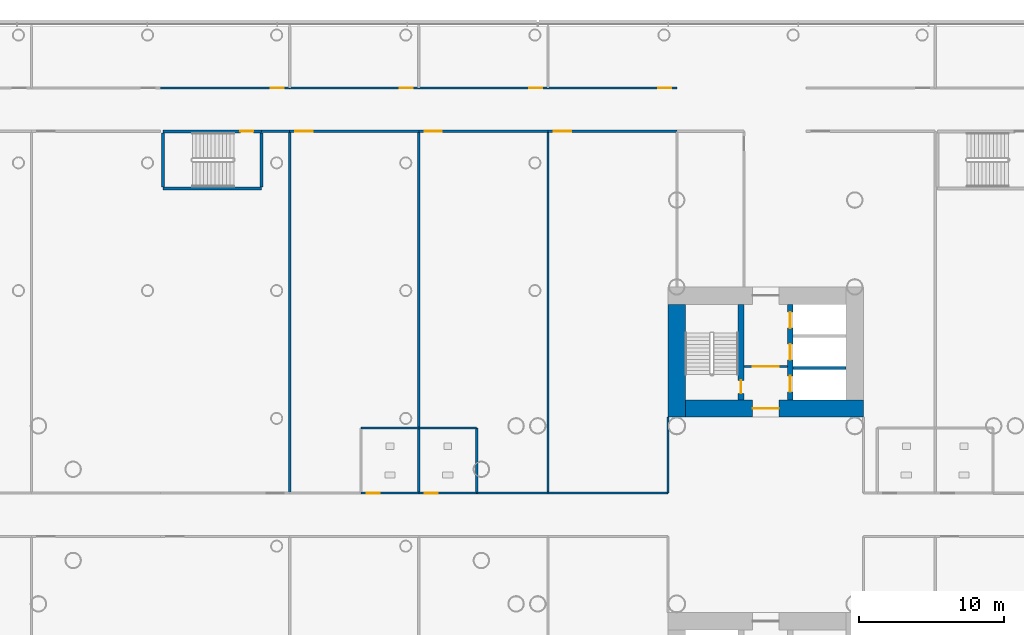
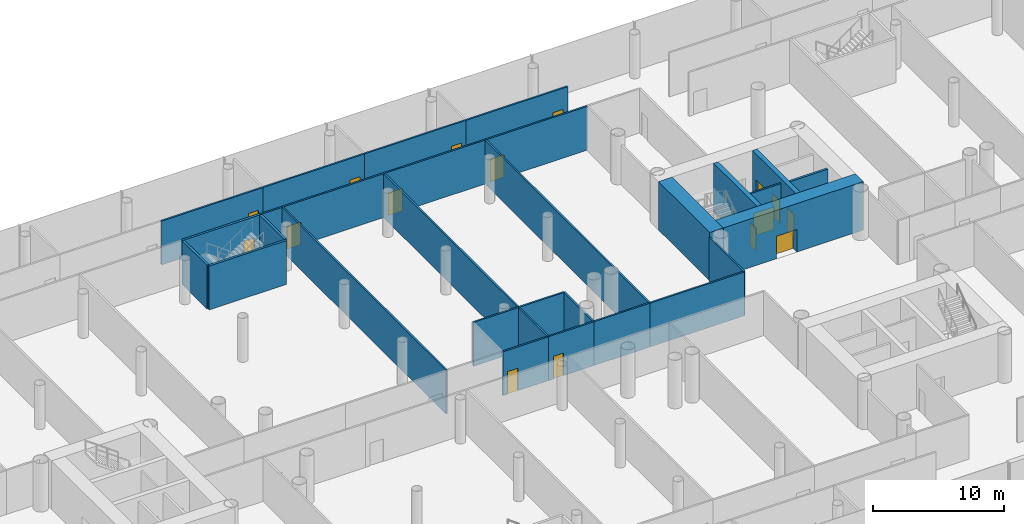
# One storey, part 22 of 49: 30 walls, 16 doors, 16 openings.
"""IFC4 building model written with IfcOpenShell, lengths in metres."""

from ifc_helpers import new_model, si_unit, direction, frame, frame_2d, origin, place, context, subcontext, project, spatial, rectangle, extrude, material, layer, layer_set, type_object, element, fill, save


model = new_model("IFC4")

# Units and contexts
model_context = context("Model", 3, precision=1e-05, world=origin(), true_north=direction((0.0, 1.0)))
body_context = subcontext(model_context, "Body", "Model", "MODEL_VIEW")
ifc_project = project(units=[si_unit("LENGTHUNIT", "METRE"), si_unit("AREAUNIT", "SQUARE_METRE"), si_unit("VOLUMEUNIT", "CUBIC_METRE"), si_unit("PLANEANGLEUNIT", "RADIAN"), si_unit("MASSUNIT", "GRAM", prefix="KILO")], contexts=[model_context])

# Site, building, storey
site_placement = place(None, origin())
site = spatial("IfcSite", under=ifc_project, at=site_placement, CompositionType="ELEMENT")
building_placement = place(site_placement, origin())
building = spatial("IfcBuilding", under=site, at=building_placement, Name="Ipe Terrace Towers", CompositionType="ELEMENT")
storey_placement = place(building_placement, frame((0.0, 0.0, 20.0)))
storey = spatial("IfcBuildingStorey", under=building, at=storey_placement, Name="L04", CompositionType="ELEMENT", Elevation=20.0)

# Wall, opening, door
ifc_material_1 = material(Name="Gypsum board partition", Category="plasterboard")
ifc_layer_1 = layer(ifc_material_1, 0.14990234375)
ifc_layer_set_1 = layer_set([ifc_layer_1], Name="Gypsum board partition 150 mm")
wall_type_1 = type_object("IfcWallType", Name="Gypsum board partition 150 mm", PredefinedType="PARTITIONING", material=ifc_layer_set_1)
wall_1_placement = place(storey_placement, frame((37.5, 10.25, 0.0), z_axis=(0.0, 0.0, 1.0), x_axis=(-1.0, 0.0, 0.0)))
wall_1 = element("IfcWall", 1, at=wall_1_placement, inside=storey, type_object=wall_type_1, Name="Gypsum board partition T2 L04 t2c1-lobby-wall", PredefinedType="PARTITIONING", context=body_context, shape_type="SweptSolid", body=[
    extrude(rectangle(XDim=3.0, YDim=0.14990234375, at=frame_2d((1.5, 0.0))), origin(), (0.0, 0.0, 1.0), 4.074951171875),
])
opening_1_placement = place(wall_1_placement, frame((0.60009765625, 0.0, 0.0)))
opening_1 = element("IfcOpeningElement", 2, at=opening_1_placement, cuts=wall_1, Name="Opening T2C1-VD", PredefinedType="OPENING", context=body_context, shape_type="SweptSolid", body=[
    extrude(rectangle(XDim=1.800048828125, YDim=2.10009765625, at=frame_2d((0.89990234375, 1.050048828125))), frame((0.0, 0.0849609375, 0.0), z_axis=(0.0, -1.0, 0.0), x_axis=(1.0, 0.0, 0.0)), (0.0, 0.0, 1.0), 0.169921875),
])
ifc_material_2 = material(Name="Fire-rated timber door leaf", Category="wood")
door_type_1 = type_object("IfcDoorType", Name="Lobby door 1800 x 2100 FD60", OperationType="NOTDEFINED", PredefinedType="DOOR", material=ifc_material_2)
door_1_placement = place(opening_1_placement, origin())
door_1 = element("IfcDoor", 3, at=door_1_placement, inside=storey, type_object=door_type_1, Name="Lobby door T2C1-VD", OperationType="SINGLE_SWING_LEFT", OverallHeight=2.10009765625, OverallWidth=1.800048828125, PredefinedType="DOOR", context=body_context, shape_type="SweptSolid", body=[
    extrude(rectangle(XDim=1.800048828125, YDim=2.10009765625, at=frame_2d((0.89990234375, 1.050048828125))), frame((0.0, 0.02490234375, 0.0), z_axis=(0.0, -1.0, 0.0), x_axis=(1.0, 0.0, 0.0)), (0.0, 0.0, 1.0), 0.050048828125),
])
fill(opening_1, door_1)

wall_2_placement = place(storey_placement, frame((3.110107421875, 29.5, 0.0), z_axis=(0.0, 0.0, 1.0), x_axis=(-1.0, 0.0, 0.0)))
wall_2 = element("IfcWall", 4, at=wall_2_placement, inside=storey, type_object=wall_type_1, Name="Gypsum board partition T2 L04 pd-r29-w2", PredefinedType="PARTITIONING", context=body_context, shape_type="SweptSolid", body=[
    extrude(rectangle(XDim=8.920166015625, YDim=0.14990234375, at=frame_2d((4.4599609375, 0.0))), origin(), (0.0, 0.0, 1.0), 4.074951171875),
])
opening_2_placement = place(wall_2_placement, frame((0.39990234375, 0.0, 0.0)))
opening_2 = element("IfcOpeningElement", 5, at=opening_2_placement, cuts=wall_2, Name="Opening PD-L04-r29", PredefinedType="OPENING", context=body_context, shape_type="SweptSolid", body=[
    extrude(rectangle(XDim=0.89990234375, YDim=2.10009765625, at=frame_2d((0.449951171875, 1.050048828125))), frame((0.0, 0.0849609375, 0.0), z_axis=(0.0, -1.0, 0.0), x_axis=(1.0, 0.0, 0.0)), (0.0, 0.0, 1.0), 0.169921875),
])
ifc_material_3 = material(Name="Fire-rated timber door leaf", Category="wood")
door_type_2 = type_object("IfcDoorType", Name="Lounge door 900 x 2100 FD30S", OperationType="NOTDEFINED", PredefinedType="DOOR", material=ifc_material_3)
door_2_placement = place(opening_2_placement, origin())
door_2 = element("IfcDoor", 6, at=door_2_placement, inside=storey, type_object=door_type_2, Name="Lounge door PD-L04-r29", OperationType="SINGLE_SWING_RIGHT", OverallHeight=2.10009765625, OverallWidth=0.89990234375, PredefinedType="DOOR", context=body_context, shape_type="SweptSolid", body=[
    extrude(rectangle(XDim=0.89990234375, YDim=2.10009765625, at=frame_2d((0.449951171875, 1.050048828125))), frame((0.0, 0.02490234375, 0.0), z_axis=(0.0, -1.0, 0.0), x_axis=(1.0, 0.0, 0.0)), (0.0, 0.0, 1.0), 0.050048828125),
])
fill(opening_2, door_2)

# Walls
wall_3_placement = place(storey_placement, frame((1.14990234375, 26.5, 0.0), z_axis=(0.0, 0.0, 1.0), x_axis=(1.0, 0.0, 0.0)))
element("IfcWall", 7, at=wall_3_placement, inside=storey, type_object=wall_type_1, Name="Gypsum board partition T2 L04 pd-r31-w7", PredefinedType="PARTITIONING", context=body_context, shape_type="SweptSolid", body=[
    extrude(rectangle(XDim=1.960205078125, YDim=0.14990234375, at=frame_2d((0.97998046875, 0.0))), origin(), (0.0, 0.0, 1.0), 4.074951171875),
])
wall_4_placement = place(storey_placement, frame((3.110107421875, 26.5, 0.0), z_axis=(0.0, 0.0, 1.0), x_axis=(0.0, -1.0, 0.0)))
element("IfcWall", 8, at=wall_4_placement, inside=storey, type_object=wall_type_1, Name="Gypsum board partition T2 L04 pd-r31-r32-w9", PredefinedType="PARTITIONING", context=body_context, shape_type="SweptSolid", body=[
    extrude(rectangle(XDim=25.0, YDim=0.14990234375, at=frame_2d((12.5, 0.0))), origin(), (0.0, 0.0, 1.0), 4.074951171875),
])

# Wall, opening, door
wall_5_placement = place(storey_placement, frame((3.110107421875, 26.5, 0.0), z_axis=(0.0, 0.0, 1.0), x_axis=(1.0, 0.0, 0.0)))
wall_5 = element("IfcWall", 9, at=wall_5_placement, inside=storey, type_object=wall_type_1, Name="Gypsum board partition T2 L04 pd-r32-w11", PredefinedType="PARTITIONING", context=body_context, shape_type="SweptSolid", body=[
    extrude(rectangle(XDim=8.919921875, YDim=0.14990234375, at=frame_2d((4.4599609375, 0.0))), origin(), (0.0, 0.0, 1.0), 4.074951171875),
])
opening_3_placement = place(wall_5_placement, frame((0.39990234375, 0.0, 0.0)))
opening_3 = element("IfcOpeningElement", 10, at=opening_3_placement, cuts=wall_5, Name="Opening PD-L04-r32", PredefinedType="OPENING", context=body_context, shape_type="SweptSolid", body=[
    extrude(rectangle(XDim=1.199951171875, YDim=2.10009765625, at=frame_2d((0.60009765625, 1.050048828125))), frame((0.0, 0.0849609375, 0.0), z_axis=(0.0, -1.0, 0.0), x_axis=(1.0, 0.0, 0.0)), (0.0, 0.0, 1.0), 0.169921875),
])
ifc_material_4 = material(Name="Fire-rated timber door leaf", Category="wood")
door_type_3 = type_object("IfcDoorType", Name="Lounge door 1200 x 2100 FD30S", OperationType="NOTDEFINED", PredefinedType="DOOR", material=ifc_material_4)
door_3_placement = place(opening_3_placement, origin())
door_3 = element("IfcDoor", 11, at=door_3_placement, inside=storey, type_object=door_type_3, Name="Lounge door PD-L04-r32", OperationType="SINGLE_SWING_RIGHT", OverallHeight=2.10009765625, OverallWidth=1.199951171875, PredefinedType="DOOR", context=body_context, shape_type="SweptSolid", body=[
    extrude(rectangle(XDim=1.199951171875, YDim=2.10009765625, at=frame_2d((0.60009765625, 1.050048828125))), frame((0.0, 0.02490234375, 0.0), z_axis=(0.0, -1.0, 0.0), x_axis=(1.0, 0.0, 0.0)), (0.0, 0.0, 1.0), 0.050048828125),
])
fill(opening_3, door_3)

# Wall
wall_6_placement = place(storey_placement, frame((12.030029296875, 26.5, 0.0), z_axis=(0.0, 0.0, 1.0), x_axis=(0.0, -1.0, 0.0)))
element("IfcWall", 12, at=wall_6_placement, inside=storey, type_object=wall_type_1, Name="Gypsum board partition T2 L04 pd-r32-r39-w12", PredefinedType="PARTITIONING", context=body_context, shape_type="SweptSolid", body=[
    extrude(rectangle(XDim=20.5, YDim=0.14990234375, at=frame_2d((10.25, 0.0))), origin(), (0.0, 0.0, 1.0), 4.074951171875),
])

# Wall, opening, door
wall_7_placement = place(storey_placement, frame((12.030029296875, 29.5, 0.0), z_axis=(0.0, 0.0, 1.0), x_axis=(-1.0, 0.0, 0.0)))
wall_7 = element("IfcWall", 13, at=wall_7_placement, inside=storey, type_object=wall_type_1, Name="Gypsum board partition T2 L04 pd-r35-w18", PredefinedType="PARTITIONING", context=body_context, shape_type="SweptSolid", body=[
    extrude(rectangle(XDim=8.919921875, YDim=0.14990234375, at=frame_2d((4.4599609375, 0.0))), origin(), (0.0, 0.0, 1.0), 4.074951171875),
])
opening_4_placement = place(wall_7_placement, frame((0.39990234375, 0.0, 0.0)))
opening_4 = element("IfcOpeningElement", 14, at=opening_4_placement, cuts=wall_7, Name="Opening PD-L04-r35", PredefinedType="OPENING", context=body_context, shape_type="SweptSolid", body=[
    extrude(rectangle(XDim=0.89990234375, YDim=2.10009765625, at=frame_2d((0.449951171875, 1.050048828125))), frame((0.0, 0.0849609375, 0.0), z_axis=(0.0, -1.0, 0.0), x_axis=(1.0, 0.0, 0.0)), (0.0, 0.0, 1.0), 0.169921875),
])
door_4_placement = place(opening_4_placement, origin())
door_4 = element("IfcDoor", 15, at=door_4_placement, inside=storey, type_object=door_type_2, Name="Lounge door PD-L04-r35", OperationType="SINGLE_SWING_RIGHT", OverallHeight=2.10009765625, OverallWidth=0.89990234375, PredefinedType="DOOR", context=body_context, shape_type="SweptSolid", body=[
    extrude(rectangle(XDim=0.89990234375, YDim=2.10009765625, at=frame_2d((0.449951171875, 1.050048828125))), frame((0.0, 0.02490234375, 0.0), z_axis=(0.0, -1.0, 0.0), x_axis=(1.0, 0.0, 0.0)), (0.0, 0.0, 1.0), 0.050048828125),
])
fill(opening_4, door_4)

wall_8_placement = place(storey_placement, frame((20.949951171875, 29.5, 0.0), z_axis=(0.0, 0.0, 1.0), x_axis=(-1.0, 0.0, 0.0)))
wall_8 = element("IfcWall", 16, at=wall_8_placement, inside=storey, type_object=wall_type_1, Name="Gypsum board partition T2 L04 pd-r38-w25", PredefinedType="PARTITIONING", context=body_context, shape_type="SweptSolid", body=[
    extrude(rectangle(XDim=8.919921875, YDim=0.14990234375, at=frame_2d((4.4599609375, 0.0))), origin(), (0.0, 0.0, 1.0), 4.074951171875),
])
opening_5_placement = place(wall_8_placement, frame((0.39990234375, 0.0, 0.0)))
opening_5 = element("IfcOpeningElement", 17, at=opening_5_placement, cuts=wall_8, Name="Opening PD-L04-r38", PredefinedType="OPENING", context=body_context, shape_type="SweptSolid", body=[
    extrude(rectangle(XDim=0.89990234375, YDim=2.10009765625, at=frame_2d((0.449951171875, 1.050048828125))), frame((0.0, 0.0849609375, 0.0), z_axis=(0.0, -1.0, 0.0), x_axis=(1.0, 0.0, 0.0)), (0.0, 0.0, 1.0), 0.169921875),
])
door_5_placement = place(opening_5_placement, origin())
door_5 = element("IfcDoor", 18, at=door_5_placement, inside=storey, type_object=door_type_2, Name="Lounge door PD-L04-r38", OperationType="SINGLE_SWING_RIGHT", OverallHeight=2.10009765625, OverallWidth=0.89990234375, PredefinedType="DOOR", context=body_context, shape_type="SweptSolid", body=[
    extrude(rectangle(XDim=0.89990234375, YDim=2.10009765625, at=frame_2d((0.449951171875, 1.050048828125))), frame((0.0, 0.02490234375, 0.0), z_axis=(0.0, -1.0, 0.0), x_axis=(1.0, 0.0, 0.0)), (0.0, 0.0, 1.0), 0.050048828125),
])
fill(opening_5, door_5)

wall_9_placement = place(storey_placement, frame((12.030029296875, 26.5, 0.0), z_axis=(0.0, 0.0, 1.0), x_axis=(1.0, 0.0, 0.0)))
wall_9 = element("IfcWall", 19, at=wall_9_placement, inside=storey, type_object=wall_type_1, Name="Gypsum board partition T2 L04 pd-r39-w27", PredefinedType="PARTITIONING", context=body_context, shape_type="SweptSolid", body=[
    extrude(rectangle(XDim=8.919921875, YDim=0.14990234375, at=frame_2d((4.4599609375, 0.0))), origin(), (0.0, 0.0, 1.0), 4.074951171875),
])
opening_6_placement = place(wall_9_placement, frame((0.39990234375, 0.0, 0.0)))
opening_6 = element("IfcOpeningElement", 20, at=opening_6_placement, cuts=wall_9, Name="Opening PD-L04-r39", PredefinedType="OPENING", context=body_context, shape_type="SweptSolid", body=[
    extrude(rectangle(XDim=1.199951171875, YDim=2.10009765625, at=frame_2d((0.60009765625, 1.050048828125))), frame((0.0, 0.0849609375, 0.0), z_axis=(0.0, -1.0, 0.0), x_axis=(1.0, 0.0, 0.0)), (0.0, 0.0, 1.0), 0.169921875),
])
door_6_placement = place(opening_6_placement, origin())
door_6 = element("IfcDoor", 21, at=door_6_placement, inside=storey, type_object=door_type_3, Name="Lounge door PD-L04-r39", OperationType="SINGLE_SWING_RIGHT", OverallHeight=2.10009765625, OverallWidth=1.199951171875, PredefinedType="DOOR", context=body_context, shape_type="SweptSolid", body=[
    extrude(rectangle(XDim=1.199951171875, YDim=2.10009765625, at=frame_2d((0.60009765625, 1.050048828125))), frame((0.0, 0.02490234375, 0.0), z_axis=(0.0, -1.0, 0.0), x_axis=(1.0, 0.0, 0.0)), (0.0, 0.0, 1.0), 0.050048828125),
])
fill(opening_6, door_6)

# Walls
wall_10_placement = place(storey_placement, frame((20.949951171875, 1.5, 0.0), z_axis=(0.0, 0.0, 1.0), x_axis=(-1.0, 0.0, 0.0)))
element("IfcWall", 22, at=wall_10_placement, inside=storey, type_object=wall_type_1, Name="Gypsum board partition T2 L04 pd-r39-w28", PredefinedType="PARTITIONING", context=body_context, shape_type="SweptSolid", body=[
    extrude(rectangle(XDim=4.919921875, YDim=0.14990234375, at=frame_2d((2.4599609375, 0.0))), origin(), (0.0, 0.0, 1.0), 4.074951171875),
])
wall_11_placement = place(storey_placement, frame((20.949951171875, 26.5, 0.0), z_axis=(0.0, 0.0, 1.0), x_axis=(0.0, -1.0, 0.0)))
element("IfcWall", 23, at=wall_11_placement, inside=storey, type_object=wall_type_1, Name="Gypsum board partition T2 L04 pd-r39-r41-w29", PredefinedType="PARTITIONING", context=body_context, shape_type="SweptSolid", body=[
    extrude(rectangle(XDim=25.0, YDim=0.14990234375, at=frame_2d((12.5, 0.0))), origin(), (0.0, 0.0, 1.0), 4.074951171875),
])

# Wall, opening, door
wall_12_placement = place(storey_placement, frame((20.949951171875, 26.5, 0.0), z_axis=(0.0, 0.0, 1.0), x_axis=(1.0, 0.0, 0.0)))
wall_12 = element("IfcWall", 24, at=wall_12_placement, inside=storey, type_object=wall_type_1, Name="Gypsum board partition T2 L04 pd-r41-w34", PredefinedType="PARTITIONING", context=body_context, shape_type="SweptSolid", body=[
    extrude(rectangle(XDim=8.920166015625, YDim=0.14990234375, at=frame_2d((4.4599609375, 0.0))), origin(), (0.0, 0.0, 1.0), 4.074951171875),
])
opening_7_placement = place(wall_12_placement, frame((0.39990234375, 0.0, 0.0)))
opening_7 = element("IfcOpeningElement", 25, at=opening_7_placement, cuts=wall_12, Name="Opening PD-L04-r41", PredefinedType="OPENING", context=body_context, shape_type="SweptSolid", body=[
    extrude(rectangle(XDim=1.199951171875, YDim=2.10009765625, at=frame_2d((0.60009765625, 1.050048828125))), frame((0.0, 0.0849609375, 0.0), z_axis=(0.0, -1.0, 0.0), x_axis=(1.0, 0.0, 0.0)), (0.0, 0.0, 1.0), 0.169921875),
])
door_7_placement = place(opening_7_placement, origin())
door_7 = element("IfcDoor", 26, at=door_7_placement, inside=storey, type_object=door_type_3, Name="Lounge door PD-L04-r41", OperationType="SINGLE_SWING_RIGHT", OverallHeight=2.10009765625, OverallWidth=1.199951171875, PredefinedType="DOOR", context=body_context, shape_type="SweptSolid", body=[
    extrude(rectangle(XDim=1.199951171875, YDim=2.10009765625, at=frame_2d((0.60009765625, 1.050048828125))), frame((0.0, 0.02490234375, 0.0), z_axis=(0.0, -1.0, 0.0), x_axis=(1.0, 0.0, 0.0)), (0.0, 0.0, 1.0), 0.050048828125),
])
fill(opening_7, door_7)

# Walls
wall_13_placement = place(storey_placement, frame((29.25, 6.75, 0.0), z_axis=(0.0, 0.0, 1.0), x_axis=(0.0, -1.0, 0.0)))
element("IfcWall", 27, at=wall_13_placement, inside=storey, type_object=wall_type_1, Name="Gypsum board partition T2 L04 pd-r41-w35", PredefinedType="PARTITIONING", context=body_context, shape_type="SweptSolid", body=[
    extrude(rectangle(XDim=5.25, YDim=0.14990234375, at=frame_2d((2.625, 0.0))), origin(), (0.0, 0.0, 1.0), 4.074951171875),
])
wall_14_placement = place(storey_placement, frame((29.25, 1.5, 0.0), z_axis=(0.0, 0.0, 1.0), x_axis=(-1.0, 0.0, 0.0)))
element("IfcWall", 28, at=wall_14_placement, inside=storey, type_object=wall_type_1, Name="Gypsum board partition T2 L04 pd-r41-w36", PredefinedType="PARTITIONING", context=body_context, shape_type="SweptSolid", body=[
    extrude(rectangle(XDim=8.300048828125, YDim=0.14990234375, at=frame_2d((4.14990234375, 0.0))), origin(), (0.0, 0.0, 1.0), 4.074951171875),
])

# Wall, opening, door
wall_15_placement = place(storey_placement, frame((29.8701171875, 29.5, 0.0), z_axis=(0.0, 0.0, 1.0), x_axis=(-1.0, 0.0, 0.0)))
wall_15 = element("IfcWall", 29, at=wall_15_placement, inside=storey, type_object=wall_type_1, Name="Gypsum board partition T2 L04 pd-r43-w39", PredefinedType="PARTITIONING", context=body_context, shape_type="SweptSolid", body=[
    extrude(rectangle(XDim=8.920166015625, YDim=0.14990234375, at=frame_2d((4.4599609375, 0.0))), origin(), (0.0, 0.0, 1.0), 4.074951171875),
])
opening_8_placement = place(wall_15_placement, frame((0.39990234375, 0.0, 0.0)))
opening_8 = element("IfcOpeningElement", 30, at=opening_8_placement, cuts=wall_15, Name="Opening PD-L04-r43", PredefinedType="OPENING", context=body_context, shape_type="SweptSolid", body=[
    extrude(rectangle(XDim=0.89990234375, YDim=2.10009765625, at=frame_2d((0.449951171875, 1.050048828125))), frame((0.0, 0.0849609375, 0.0), z_axis=(0.0, -1.0, 0.0), x_axis=(1.0, 0.0, 0.0)), (0.0, 0.0, 1.0), 0.169921875),
])
door_8_placement = place(opening_8_placement, origin())
door_8 = element("IfcDoor", 31, at=door_8_placement, inside=storey, type_object=door_type_2, Name="Lounge door PD-L04-r43", OperationType="SINGLE_SWING_RIGHT", OverallHeight=2.10009765625, OverallWidth=0.89990234375, PredefinedType="DOOR", context=body_context, shape_type="SweptSolid", body=[
    extrude(rectangle(XDim=0.89990234375, YDim=2.10009765625, at=frame_2d((0.449951171875, 1.050048828125))), frame((0.0, 0.02490234375, 0.0), z_axis=(0.0, -1.0, 0.0), x_axis=(1.0, 0.0, 0.0)), (0.0, 0.0, 1.0), 0.050048828125),
])
fill(opening_8, door_8)

wall_16_placement = place(storey_placement, frame((8.030029296875, 1.5, 0.0), z_axis=(0.0, 0.0, 1.0), x_axis=(1.0, 0.0, 0.0)))
wall_16 = element("IfcWall", 32, at=wall_16_placement, inside=storey, type_object=wall_type_1, Name="Gypsum board partition T2 L04 pd-c1-w72", PredefinedType="PARTITIONING", context=body_context, shape_type="SweptSolid", body=[
    extrude(rectangle(XDim=4.0, YDim=0.14990234375, at=frame_2d((2.0, 0.0))), origin(), (0.0, 0.0, 1.0), 4.074951171875),
])
opening_9_placement = place(wall_16_placement, frame((0.39990234375, 0.0, 0.0)))
opening_9 = element("IfcOpeningElement", 33, at=opening_9_placement, cuts=wall_16, Name="Opening PD-L04-c1", PredefinedType="OPENING", context=body_context, shape_type="SweptSolid", body=[
    extrude(rectangle(XDim=0.89990234375, YDim=2.10009765625, at=frame_2d((0.449951171875, 1.050048828125))), frame((0.0, 0.0849609375, 0.0), z_axis=(0.0, -1.0, 0.0), x_axis=(1.0, 0.0, 0.0)), (0.0, 0.0, 1.0), 0.169921875),
])
door_9_placement = place(opening_9_placement, origin())
door_9 = element("IfcDoor", 34, at=door_9_placement, inside=storey, type_object=door_type_2, Name="Lounge door PD-L04-c1", OperationType="SINGLE_SWING_LEFT", OverallHeight=2.10009765625, OverallWidth=0.89990234375, PredefinedType="DOOR", context=body_context, shape_type="SweptSolid", body=[
    extrude(rectangle(XDim=0.89990234375, YDim=2.10009765625, at=frame_2d((0.449951171875, 1.050048828125))), frame((0.0, 0.02490234375, 0.0), z_axis=(0.0, -1.0, 0.0), x_axis=(1.0, 0.0, 0.0)), (0.0, 0.0, 1.0), 0.050048828125),
])
fill(opening_9, door_9)

# Walls
wall_17_placement = place(storey_placement, frame((12.030029296875, 6.0, 0.0), z_axis=(0.0, 0.0, 1.0), x_axis=(-1.0, 0.0, 0.0)))
element("IfcWall", 35, at=wall_17_placement, inside=storey, type_object=wall_type_1, Name="Gypsum board partition T2 L04 pd-c1-r32-w73", PredefinedType="PARTITIONING", context=body_context, shape_type="SweptSolid", body=[
    extrude(rectangle(XDim=4.0, YDim=0.14990234375, at=frame_2d((2.0, 0.0))), origin(), (0.0, 0.0, 1.0), 4.074951171875),
])
wall_18_placement = place(storey_placement, frame((12.030029296875, 1.5, 0.0), z_axis=(0.0, 0.0, 1.0), x_axis=(0.0, 1.0, 0.0)))
element("IfcWall", 36, at=wall_18_placement, inside=storey, type_object=wall_type_1, Name="Gypsum board partition T2 L04 pd-c1-c2-w75", PredefinedType="PARTITIONING", context=body_context, shape_type="SweptSolid", body=[
    extrude(rectangle(XDim=4.5, YDim=0.14990234375, at=frame_2d((2.25, 0.0))), origin(), (0.0, 0.0, 1.0), 4.074951171875),
])

# Wall, opening, door
wall_19_placement = place(storey_placement, frame((12.030029296875, 1.5, 0.0), z_axis=(0.0, 0.0, 1.0), x_axis=(1.0, 0.0, 0.0)))
wall_19 = element("IfcWall", 37, at=wall_19_placement, inside=storey, type_object=wall_type_1, Name="Gypsum board partition T2 L04 pd-c2-w76", PredefinedType="PARTITIONING", context=body_context, shape_type="SweptSolid", body=[
    extrude(rectangle(XDim=4.0, YDim=0.14990234375, at=frame_2d((2.0, 0.0))), origin(), (0.0, 0.0, 1.0), 4.074951171875),
])
opening_10_placement = place(wall_19_placement, frame((0.39990234375, 0.0, 0.0)))
opening_10 = element("IfcOpeningElement", 38, at=opening_10_placement, cuts=wall_19, Name="Opening PD-L04-c2", PredefinedType="OPENING", context=body_context, shape_type="SweptSolid", body=[
    extrude(rectangle(XDim=0.89990234375, YDim=2.10009765625, at=frame_2d((0.449951171875, 1.050048828125))), frame((0.0, 0.0849609375, 0.0), z_axis=(0.0, -1.0, 0.0), x_axis=(1.0, 0.0, 0.0)), (0.0, 0.0, 1.0), 0.169921875),
])
door_10_placement = place(opening_10_placement, origin())
door_10 = element("IfcDoor", 39, at=door_10_placement, inside=storey, type_object=door_type_2, Name="Lounge door PD-L04-c2", OperationType="SINGLE_SWING_LEFT", OverallHeight=2.10009765625, OverallWidth=0.89990234375, PredefinedType="DOOR", context=body_context, shape_type="SweptSolid", body=[
    extrude(rectangle(XDim=0.89990234375, YDim=2.10009765625, at=frame_2d((0.449951171875, 1.050048828125))), frame((0.0, 0.02490234375, 0.0), z_axis=(0.0, -1.0, 0.0), x_axis=(1.0, 0.0, 0.0)), (0.0, 0.0, 1.0), 0.050048828125),
])
fill(opening_10, door_10)

# Walls
wall_20_placement = place(storey_placement, frame((16.030029296875, 1.5, 0.0), z_axis=(0.0, 0.0, 1.0), x_axis=(0.0, 1.0, 0.0)))
element("IfcWall", 40, at=wall_20_placement, inside=storey, type_object=wall_type_1, Name="Gypsum board partition T2 L04 pd-c2-r39-w77", PredefinedType="PARTITIONING", context=body_context, shape_type="SweptSolid", body=[
    extrude(rectangle(XDim=4.5, YDim=0.14990234375, at=frame_2d((2.25, 0.0))), origin(), (0.0, 0.0, 1.0), 4.074951171875),
])
wall_21_placement = place(storey_placement, frame((16.030029296875, 6.0, 0.0), z_axis=(0.0, 0.0, 1.0), x_axis=(-1.0, 0.0, 0.0)))
element("IfcWall", 41, at=wall_21_placement, inside=storey, type_object=wall_type_1, Name="Gypsum board partition T2 L04 pd-c2-r39-w78", PredefinedType="PARTITIONING", context=body_context, shape_type="SweptSolid", body=[
    extrude(rectangle(XDim=4.0, YDim=0.14990234375, at=frame_2d((2.0, 0.0))), origin(), (0.0, 0.0, 1.0), 4.074951171875),
])
ifc_material_5 = material(Name="Gypsum board party wall", Category="plasterboard")
ifc_layer_2 = layer(ifc_material_5, 0.199951171875)
ifc_layer_set_2 = layer_set([ifc_layer_2], Name="Gypsum board party wall 200 mm")
wall_type_2 = type_object("IfcWallType", Name="Gypsum board party wall 200 mm", PredefinedType="SOLIDWALL", material=ifc_layer_set_2)
wall_22_placement = place(storey_placement, frame((41.550048828125, 10.14990234375, 0.0), z_axis=(0.0, 0.0, 1.0), x_axis=(-1.0, 0.0, 0.0)))
element("IfcWall", 42, at=wall_22_placement, inside=storey, type_object=wall_type_2, Name="Gypsum board party wall T2 L04 t2c1-shaft-div1", PredefinedType="SOLIDWALL", context=body_context, shape_type="SweptSolid", body=[
    extrude(rectangle(XDim=3.650146484375, YDim=0.199951171875, at=frame_2d((1.8251953125, 0.0))), origin(), (0.0, 0.0, 1.0), 4.074951171875),
])

# Wall, opening, door
ifc_material_6 = material(Name="Concrete C60/75", Category="concrete")
ifc_layer_3 = layer(ifc_material_6, 1.199951171875)
ifc_layer_set_3 = layer_set([ifc_layer_3], Name="RW1200 CORE WALL 1200 C60-75")
wall_type_3 = type_object("IfcWallType", Name="RW1200 CORE WALL 1200 C60-75", PredefinedType="SHEAR", material=ifc_layer_set_3)
wall_23_placement = place(storey_placement, frame((30.449951171875, 7.35009765625, 0.0), z_axis=(0.0, 0.0, 1.0), x_axis=(1.0, 0.0, 0.0)))
wall_23 = element("IfcWall", 43, at=wall_23_placement, inside=storey, type_object=wall_type_3, Name="Core wall T2-C1-P-W01", PredefinedType="SHEAR", context=body_context, shape_type="SweptSolid", body=[
    extrude(rectangle(XDim=12.300048828125, YDim=1.199951171875, at=frame_2d((6.14990234375, 0.0))), origin(), (0.0, 0.0, 1.0), 4.5),
])
opening_11_placement = place(wall_23_placement, frame((4.64990234375, 0.0, 0.0)))
opening_11 = element("IfcOpeningElement", 44, at=opening_11_placement, cuts=wall_23, Name="Opening T2C1-ND", PredefinedType="OPENING", context=body_context, shape_type="SweptSolid", body=[
    extrude(rectangle(XDim=1.800048828125, YDim=2.10009765625, at=frame_2d((0.89990234375, 1.050048828125))), frame((0.0, 0.60986328125, 0.0), z_axis=(0.0, -1.0, 0.0), x_axis=(1.0, 0.0, 0.0)), (0.0, 0.0, 1.0), 1.219970703125),
])
ifc_material_7 = material(Name="Fire-rated timber door leaf", Category="wood")
door_type_4 = type_object("IfcDoorType", Name="Fire door 1800 x 2100 FD30S", OperationType="NOTDEFINED", PredefinedType="DOOR", material=ifc_material_7)
door_11_placement = place(opening_11_placement, origin())
door_11 = element("IfcDoor", 45, at=door_11_placement, inside=storey, type_object=door_type_4, Name="Fire door T2C1-ND", OperationType="SINGLE_SWING_LEFT", OverallHeight=2.10009765625, OverallWidth=1.800048828125, PredefinedType="DOOR", context=body_context, shape_type="SweptSolid", body=[
    extrude(rectangle(XDim=1.800048828125, YDim=2.10009765625, at=frame_2d((0.89990234375, 1.050048828125))), frame((0.0, 0.02490234375, 0.0), z_axis=(0.0, -1.0, 0.0), x_axis=(1.0, 0.0, 0.0)), (0.0, 0.0, 1.0), 0.050048828125),
])
fill(opening_11, door_11)

# Wall
wall_24_placement = place(storey_placement, frame((29.85009765625, 14.550048828125, 0.0), z_axis=(0.0, 0.0, 1.0), x_axis=(0.0, -1.0, 0.0)))
element("IfcWall", 46, at=wall_24_placement, inside=storey, type_object=wall_type_3, Name="Core wall T2-C1-P-W04", PredefinedType="SHEAR", context=body_context, shape_type="SweptSolid", body=[
    extrude(rectangle(XDim=7.800048828125, YDim=1.199951171875, at=frame_2d((3.89990234375, 0.0))), origin(), (0.0, 0.0, 1.0), 4.5),
])

# Wall, opening, door
ifc_material_8 = material(Name="Concrete C40/50", Category="concrete")
ifc_layer_4 = layer(ifc_material_8, 0.199951171875)
ifc_layer_set_4 = layer_set([ifc_layer_4], Name="RW200 PODIUM STAIR SHAFT WALL 200 C40-50")
wall_type_4 = type_object("IfcWallType", Name="RW200 PODIUM STAIR SHAFT WALL 200 C40-50", PredefinedType="SHEAR", material=ifc_layer_set_4)
wall_25_placement = place(storey_placement, frame((-5.64990234375, 26.5, 0.0), z_axis=(0.0, 0.0, 1.0), x_axis=(1.0, 0.0, 0.0)))
wall_25 = element("IfcWall", 47, at=wall_25_placement, inside=storey, type_object=wall_type_4, Name="Stair shaft wall T1 L04 ps2-c", PredefinedType="SHEAR", context=body_context, shape_type="SweptSolid", body=[
    extrude(rectangle(XDim=6.7998046875, YDim=0.199951171875, at=frame_2d((3.39990234375, 0.0))), origin(), (0.0, 0.0, 1.0), 4.074951171875),
])
opening_12_placement = place(wall_25_placement, frame((5.35009765625, 0.0, 0.0)))
opening_12 = element("IfcOpeningElement", 48, at=opening_12_placement, cuts=wall_25, Name="Opening PS2-SD", PredefinedType="OPENING", context=body_context, shape_type="SweptSolid", body=[
    extrude(rectangle(XDim=0.89990234375, YDim=2.10009765625, at=frame_2d((0.449951171875, 1.050048828125))), frame((0.0, 0.10986328125, 0.0), z_axis=(0.0, -1.0, 0.0), x_axis=(1.0, 0.0, 0.0)), (0.0, 0.0, 1.0), 0.219970703125),
])
ifc_material_9 = material(Name="Fire-rated timber door leaf", Category="wood")
door_type_5 = type_object("IfcDoorType", Name="Stair door 900 x 2100 FD60", OperationType="NOTDEFINED", PredefinedType="DOOR", material=ifc_material_9)
door_12_placement = place(opening_12_placement, origin())
door_12 = element("IfcDoor", 49, at=door_12_placement, inside=storey, type_object=door_type_5, Name="Stair door PS2-SD", OperationType="SINGLE_SWING_LEFT", OverallHeight=2.10009765625, OverallWidth=0.89990234375, PredefinedType="DOOR", context=body_context, shape_type="SweptSolid", body=[
    extrude(rectangle(XDim=0.89990234375, YDim=2.10009765625, at=frame_2d((0.449951171875, 1.050048828125))), frame((0.0, 0.02490234375, 0.0), z_axis=(0.0, -1.0, 0.0), x_axis=(1.0, 0.0, 0.0)), (0.0, 0.0, 1.0), 0.050048828125),
])
fill(opening_12, door_12)

# Walls
wall_26_placement = place(storey_placement, frame((-5.64990234375, 22.550048828125, 0.0), z_axis=(0.0, 0.0, 1.0), x_axis=(1.0, 0.0, 0.0)))
element("IfcWall", 50, at=wall_26_placement, inside=storey, type_object=wall_type_4, Name="Stair shaft wall T1 L04 ps2-f", PredefinedType="SHEAR", context=body_context, shape_type="SweptSolid", body=[
    extrude(rectangle(XDim=6.7998046875, YDim=0.199951171875, at=frame_2d((3.39990234375, 0.0))), origin(), (0.0, 0.0, 1.0), 4.074951171875),
])
for number, where, z_axis, x_axis, name in (
    (51, (-5.64990234375, 22.64990234375, 0.0), (0.0, 0.0, 1.0), (0.0, 1.0, 0.0), "Stair shaft wall T1 L04 ps2-w"),
    (52, (1.14990234375, 22.64990234375, 0.0), (0.0, 0.0, 1.0), (0.0, 1.0, 0.0), "Stair shaft wall T1 L04 ps2-e"),
):
    element("IfcWall", number, at=place(storey_placement, frame(where, z_axis=z_axis, x_axis=x_axis)), inside=storey, type_object=wall_type_4, Name=name, PredefinedType="SHEAR", context=body_context, shape_type="SweptSolid", body=[
        extrude(rectangle(XDim=3.75, YDim=0.199951171875, at=frame_2d((1.875, 0.0))), origin(), (0.0, 0.0, 1.0), 4.074951171875),
    ])

# Wall, opening, door
ifc_material_10 = material(Name="Concrete C60/75", Category="concrete")
ifc_layer_5 = layer(ifc_material_10, 0.39990234375)
ifc_layer_set_5 = layer_set([ifc_layer_5], Name="RW400 CORE SPINE WALL 400 C60-75")
wall_type_5 = type_object("IfcWallType", Name="RW400 CORE SPINE WALL 400 C60-75", PredefinedType="SHEAR", material=ifc_layer_set_5)
wall_27_placement = place(storey_placement, frame((34.300048828125, 7.949951171875, 0.0), z_axis=(0.0, 0.0, 1.0), x_axis=(0.0, 1.0, 0.0)))
wall_27 = element("IfcWall", 53, at=wall_27_placement, inside=storey, type_object=wall_type_5, Name="Core spine wall T2-C1-P-SW1", PredefinedType="SHEAR", context=body_context, shape_type="SweptSolid", body=[
    extrude(rectangle(XDim=6.60009765625, YDim=0.39990234375, at=frame_2d((3.300048828125, 0.0))), origin(), (0.0, 0.0, 1.0), 4.5),
])
opening_13_placement = place(wall_27_placement, frame((0.449951171875, 0.0, 0.0)))
opening_13 = element("IfcOpeningElement", 54, at=opening_13_placement, cuts=wall_27, Name="Opening T2C1-SD", PredefinedType="OPENING", context=body_context, shape_type="SweptSolid", body=[
    extrude(rectangle(XDim=0.89990234375, YDim=2.10009765625, at=frame_2d((0.449951171875, 1.050048828125))), frame((0.0, 0.2099609375, 0.0), z_axis=(0.0, -1.0, 0.0), x_axis=(1.0, 0.0, 0.0)), (0.0, 0.0, 1.0), 0.419921875),
])
door_13_placement = place(opening_13_placement, origin())
door_13 = element("IfcDoor", 55, at=door_13_placement, inside=storey, type_object=door_type_5, Name="Stair door T2C1-SD", OperationType="SINGLE_SWING_LEFT", OverallHeight=2.10009765625, OverallWidth=0.89990234375, PredefinedType="DOOR", context=body_context, shape_type="SweptSolid", body=[
    extrude(rectangle(XDim=0.89990234375, YDim=2.10009765625, at=frame_2d((0.449951171875, 1.050048828125))), frame((0.0, 0.02490234375, 0.0), z_axis=(0.0, -1.0, 0.0), x_axis=(1.0, 0.0, 0.0)), (0.0, 0.0, 1.0), 0.050048828125),
])
fill(opening_13, door_13)

# Wall, openings, doors
wall_28_placement = place(storey_placement, frame((37.699951171875, 7.949951171875, 0.0), z_axis=(0.0, 0.0, 1.0), x_axis=(0.0, 1.0, 0.0)))
wall_28 = element("IfcWall", 56, at=wall_28_placement, inside=storey, type_object=wall_type_5, Name="Core spine wall T2-C1-P-SW2", PredefinedType="SHEAR", context=body_context, shape_type="SweptSolid", body=[
    extrude(rectangle(XDim=6.60009765625, YDim=0.39990234375, at=frame_2d((3.300048828125, 0.0))), origin(), (0.0, 0.0, 1.0), 4.5),
])
opening_14_placement = place(wall_28_placement, frame((0.550048828125, 0.0, 0.0)))
opening_14 = element("IfcOpeningElement", 57, at=opening_14_placement, cuts=wall_28, Name="Opening T2C1-LD1", PredefinedType="OPENING", context=body_context, shape_type="SweptSolid", body=[
    extrude(rectangle(XDim=1.10009765625, YDim=2.10009765625, at=frame_2d((0.550048828125, 1.050048828125))), frame((0.0, 0.2099609375, 0.0), z_axis=(0.0, -1.0, 0.0), x_axis=(1.0, 0.0, 0.0)), (0.0, 0.0, 1.0), 0.419921875),
])
opening_15_placement = place(wall_28_placement, frame((2.75, 0.0, 0.0)))
opening_15 = element("IfcOpeningElement", 58, at=opening_15_placement, cuts=wall_28, Name="Opening T2C1-LD2", PredefinedType="OPENING", context=body_context, shape_type="SweptSolid", body=[
    extrude(rectangle(XDim=1.10009765625, YDim=2.10009765625, at=frame_2d((0.550048828125, 1.050048828125))), frame((0.0, 0.2099609375, 0.0), z_axis=(0.0, -1.0, 0.0), x_axis=(1.0, 0.0, 0.0)), (0.0, 0.0, 1.0), 0.419921875),
])
opening_16_placement = place(wall_28_placement, frame((4.949951171875, 0.0, 0.0)))
opening_16 = element("IfcOpeningElement", 59, at=opening_16_placement, cuts=wall_28, Name="Opening T2C1-LD3", PredefinedType="OPENING", context=body_context, shape_type="SweptSolid", body=[
    extrude(rectangle(XDim=1.10009765625, YDim=2.10009765625, at=frame_2d((0.550048828125, 1.050048828125))), frame((0.0, 0.2099609375, 0.0), z_axis=(0.0, -1.0, 0.0), x_axis=(1.0, 0.0, 0.0)), (0.0, 0.0, 1.0), 0.419921875),
])
ifc_material_11 = material(Name="Fire-rated timber door leaf", Category="wood")
door_type_6 = type_object("IfcDoorType", Name="Sliding door 1100 x 2100 FD60", OperationType="SLIDING_TO_LEFT", PredefinedType="DOOR", material=ifc_material_11)
door_14_placement = place(opening_14_placement, origin())
door_14 = element("IfcDoor", 60, at=door_14_placement, inside=storey, type_object=door_type_6, Name="Sliding door T2C1-LD1", OperationType="SLIDING_TO_LEFT", OverallHeight=2.10009765625, OverallWidth=1.10009765625, PredefinedType="DOOR", context=body_context, shape_type="SweptSolid", body=[
    extrude(rectangle(XDim=1.10009765625, YDim=2.10009765625, at=frame_2d((0.550048828125, 1.050048828125))), frame((0.0, 0.02490234375, 0.0), z_axis=(0.0, -1.0, 0.0), x_axis=(1.0, 0.0, 0.0)), (0.0, 0.0, 1.0), 0.050048828125),
])
fill(opening_14, door_14)
door_15_placement = place(opening_15_placement, origin())
door_15 = element("IfcDoor", 61, at=door_15_placement, inside=storey, type_object=door_type_6, Name="Sliding door T2C1-LD2", OperationType="SLIDING_TO_LEFT", OverallHeight=2.10009765625, OverallWidth=1.10009765625, PredefinedType="DOOR", context=body_context, shape_type="SweptSolid", body=[
    extrude(rectangle(XDim=1.10009765625, YDim=2.10009765625, at=frame_2d((0.550048828125, 1.050048828125))), frame((0.0, 0.02490234375, 0.0), z_axis=(0.0, -1.0, 0.0), x_axis=(1.0, 0.0, 0.0)), (0.0, 0.0, 1.0), 0.050048828125),
])
fill(opening_15, door_15)
door_16_placement = place(opening_16_placement, origin())
door_16 = element("IfcDoor", 62, at=door_16_placement, inside=storey, type_object=door_type_6, Name="Sliding door T2C1-LD3", OperationType="SLIDING_TO_LEFT", OverallHeight=2.10009765625, OverallWidth=1.10009765625, PredefinedType="DOOR", context=body_context, shape_type="SweptSolid", body=[
    extrude(rectangle(XDim=1.10009765625, YDim=2.10009765625, at=frame_2d((0.550048828125, 1.050048828125))), frame((0.0, 0.02490234375, 0.0), z_axis=(0.0, -1.0, 0.0), x_axis=(1.0, 0.0, 0.0)), (0.0, 0.0, 1.0), 0.050048828125),
])
fill(opening_16, door_16)

save(model, "model.ifc")
